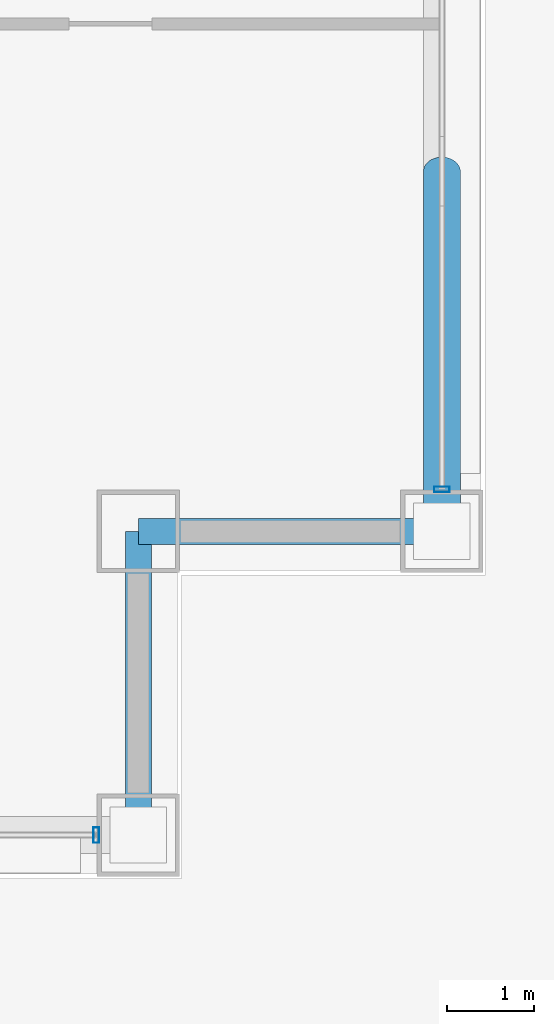
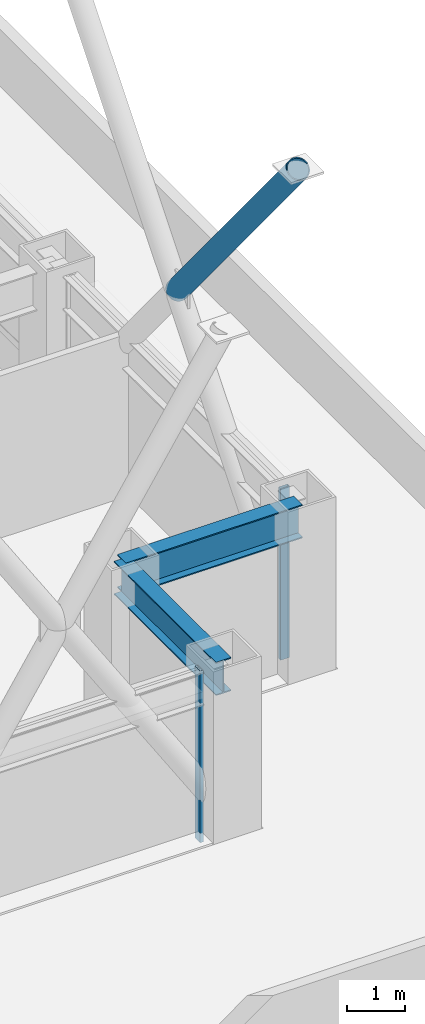
# One storey, part 12 of 33: 3 members, 2 beams, 2 elements without a shape of their own.
"""IFC4 building model written with IfcOpenShell, lengths in metres."""

from ifc_helpers import new_model, si_unit, direction, frame, origin, origin_2d, place, context, subcontext, project, spatial, hollow_rectangle, hollow_circle, i_section, extrude, material, layer, layer_set, material_profile, profile_set, type_object, element, aggregate, save


model = new_model("IFC4")

# Units and contexts
model_context = context("Model", 3, precision=1e-05, world=origin(), true_north=direction((0.0, 1.0)))
body_context = subcontext(model_context, "Body", "Model", "MODEL_VIEW")
ifc_project = project(units=[si_unit("LENGTHUNIT", "METRE"), si_unit("AREAUNIT", "SQUARE_METRE"), si_unit("VOLUMEUNIT", "CUBIC_METRE"), si_unit("PLANEANGLEUNIT", "RADIAN"), si_unit("MASSUNIT", "GRAM", prefix="KILO")], contexts=[model_context])

# Site, building, storey
site_placement = place(None, origin())
site = spatial("IfcSite", under=ifc_project, at=site_placement, CompositionType="ELEMENT")
building_placement = place(site_placement, origin())
building = spatial("IfcBuilding", under=site, at=building_placement, Name="Brelmoor Portico Tower", CompositionType="ELEMENT")
storey_placement = place(building_placement, frame((0.0, 0.0, 24.0)))
storey = spatial("IfcBuildingStorey", under=building, at=storey_placement, Name="L05", CompositionType="ELEMENT", Elevation=24.0)

# Beams
ifc_material_1 = material(Name="Steel Q355B", Category="steel")
ifc_material_profile_1 = material_profile(ifc_material_1, i_section(OverallWidth=0.300048828125, OverallDepth=0.699951171875, WebThickness=0.012939453125, FlangeThickness=0.02392578125, at=origin_2d()), Name="HN 700x300x13x24")
ifc_profile_set_1 = profile_set([ifc_material_profile_1], Name="Steel Q355B")
beam_type = type_object("IfcBeamType", Name="BM-SP-700", PredefinedType="SPANDREL", material=ifc_profile_set_1)
for number, where, z_axis, x_axis, name in (
    (1, (21.050048828125, -18.050048828125, 3.050048828125), (1.0, 0.0, 0.0), (0.0, 1.0, 0.0), "L05 Perimeter Spandrel Beam SP-07"),
    (2, (21.050048828125, -21.550048828125, 3.050048828125), (0.0, 1.0, 0.0), (-1.0, 0.0, 0.0), "L05 Perimeter Spandrel Beam SP-20"),
):
    element("IfcBeam", number, at=place(storey_placement, frame(where, z_axis=z_axis, x_axis=x_axis)), inside=storey, type_object=beam_type, Name=name, PredefinedType="SPANDREL", context=body_context, shape_type="SweptSolid", body=[
        extrude(i_section(OverallWidth=0.300048828125, OverallDepth=0.699951171875, WebThickness=0.012939453125, FlangeThickness=0.02392578125, at=origin_2d()), origin(), (0.0, 0.0, 1.0), 3.5),
    ])

# Member
ifc_material_profile_2 = material_profile(ifc_material_1, hollow_circle(Radius=0.212890625, WallThickness=0.02001953125, at=origin_2d()), Name="CHS 426x20")
ifc_profile_set_2 = profile_set([ifc_material_profile_2], Name="Steel Q355B")
member_type_1 = type_object("IfcMemberType", Name="MB-BELT-DIAG1", PredefinedType="BRACE", material=ifc_profile_set_2)
member_1_placement = place(storey_placement, frame((24.550048828125, -13.89990234375, 5.300048828125), z_axis=(0.0, -0.634912247128, 0.772584259771), x_axis=(1.0, 0.0, 0.0)))
element("IfcMember", 3, at=member_1_placement, inside=storey, type_object=member_type_1, Name="L05 Split Mega-X Brace 008B2", PredefinedType="BRACE", context=body_context, shape_type="SweptSolid", body=[
    extrude(hollow_circle(Radius=0.212890625, WallThickness=0.02001953125, at=origin_2d()), origin(), (0.0, 0.0, 1.0), 6.53662109375),
])

# Curtain wall, member
ifc_material_2 = material(Name="Anodised Aluminium Alloy 6063-T6", Category="aluminium")
ifc_layer = layer(ifc_material_2, 0.179931640625)
ifc_layer_set = layer_set([ifc_layer], Name="Anodised Aluminium Alloy 6063-T6")
curtain_wall_type = type_object("IfcCurtainWallType", Name="CW-TOWER-Z1-XB", PredefinedType="NOTDEFINED", material=ifc_layer_set)
curtain_wall_1_placement = place(storey_placement, origin())
curtain_wall_1 = element("IfcCurtainWall", 4, at=curtain_wall_1_placement, inside=storey, type_object=curtain_wall_type, Name="L05 Curtain Wall CW-L05-01-5", PredefinedType="NOTDEFINED")
ifc_material_profile_3 = material_profile(ifc_material_2, hollow_rectangle(XDim=0.06494140625, YDim=0.179931640625, WallThickness=0.00390625, at=origin_2d()), Name="ALU MULLION 65x180")
ifc_profile_set_3 = profile_set([ifc_material_profile_3], Name="Anodised Aluminium Alloy 6063-T6")
member_type_2 = type_object("IfcMemberType", Name="MB-CW-MULL-180", PredefinedType="MULLION", material=ifc_profile_set_3)
member_2_placement = place(storey_placement, frame((20.56494140625, -21.550048828125, -0.199951171875), z_axis=(0.0, 0.0, 1.0), x_axis=(1.0, 0.0, 0.0)))
member_2 = element("IfcMember", 5, at=member_2_placement, type_object=member_type_2, Name="CW-L05-01-5 Mullion 01", PredefinedType="MULLION", context=body_context, shape_type="SweptSolid", body=[
    extrude(hollow_rectangle(XDim=0.06494140625, YDim=0.179931640625, WallThickness=0.00390625, at=origin_2d()), origin(), (0.0, 0.0, 1.0), 3.599853515625),
])
aggregate(curtain_wall_1, [member_2])

curtain_wall_2_placement = place(storey_placement, origin())
curtain_wall_2 = element("IfcCurtainWall", 6, at=curtain_wall_2_placement, inside=storey, type_object=curtain_wall_type, Name="L05 Curtain Wall CW-L05-04-1", PredefinedType="NOTDEFINED")
member_3_placement = place(storey_placement, frame((24.550048828125, -17.56494140625, -0.199951171875), z_axis=(0.0, 0.0, 1.0), x_axis=(0.0, 1.0, 0.0)))
member_3 = element("IfcMember", 7, at=member_3_placement, type_object=member_type_2, Name="CW-L05-04-1 Mullion 00", PredefinedType="MULLION", context=body_context, shape_type="SweptSolid", body=[
    extrude(hollow_rectangle(XDim=0.06494140625, YDim=0.179931640625, WallThickness=0.00390625, at=origin_2d()), origin(), (0.0, 0.0, 1.0), 3.599853515625),
])
aggregate(curtain_wall_2, [member_3])

save(model, "model.ifc")
